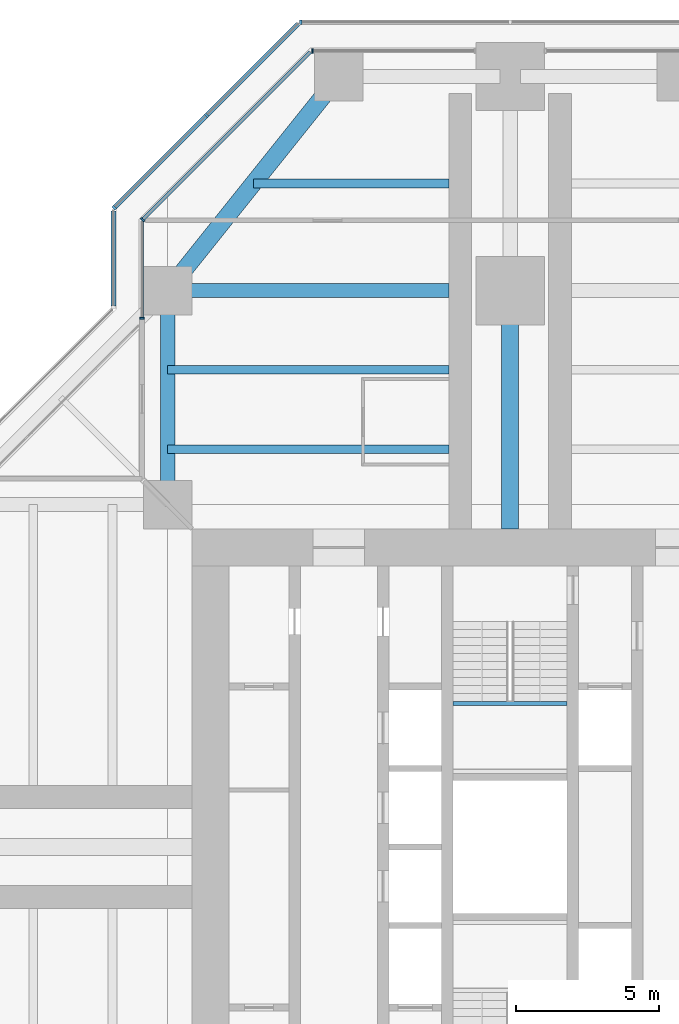
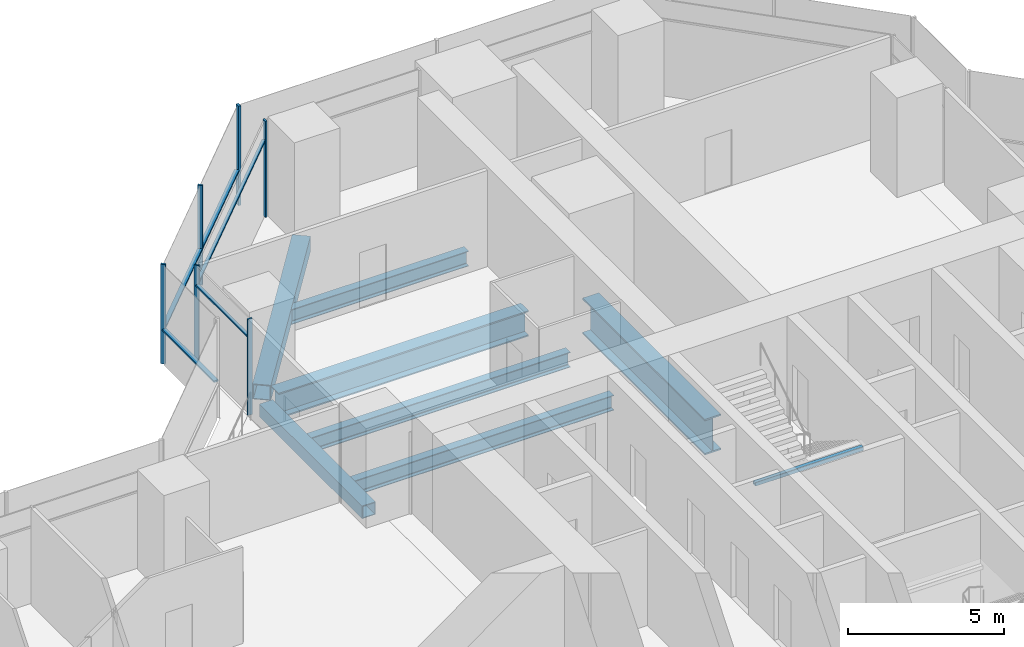
# One storey, part 8 of 19: 11 members, 8 beams, 6 elements without a shape of their own.
"""IFC4 building model written with IfcOpenShell, lengths in metres."""

from ifc_helpers import new_model, si_unit, direction, frame, origin, origin_2d, place, context, subcontext, project, spatial, rectangle, hollow_rectangle, i_section, extrude, material, material_profile, profile_set, type_object, element, aggregate, save


model = new_model("IFC4")

# Units and contexts
model_context = context("Model", 3, precision=1e-05, world=origin(), true_north=direction((0.0, 1.0)))
body_context = subcontext(model_context, "Body", "Model", "MODEL_VIEW")
ifc_project = project(units=[si_unit("LENGTHUNIT", "METRE"), si_unit("AREAUNIT", "SQUARE_METRE"), si_unit("VOLUMEUNIT", "CUBIC_METRE"), si_unit("PLANEANGLEUNIT", "RADIAN"), si_unit("MASSUNIT", "GRAM", prefix="KILO")], contexts=[model_context])

# Site, building, storey
site_placement = place(None, origin())
site = spatial("IfcSite", under=ifc_project, at=site_placement, CompositionType="ELEMENT")
building_placement = place(site_placement, origin())
building = spatial("IfcBuilding", under=site, at=building_placement, Name="Mizan Broadcast Tower", CompositionType="ELEMENT")
storey_placement = place(building_placement, frame((0.0, 0.0, 163.199951171875)))
storey = spatial("IfcBuildingStorey", under=building, at=storey_placement, Name="L37", CompositionType="ELEMENT", Elevation=163.199951171875)

# Beams
ifc_material_1 = material(Name="Steel S355", Category="steel")
ifc_material_profile_1 = material_profile(ifc_material_1, hollow_rectangle(XDim=0.5, YDim=0.5, WallThickness=0.030029296875, at=origin_2d()), Name="BOX 500x500x30")
ifc_profile_set_1 = profile_set([ifc_material_profile_1], Name="Steel S355")
beam_type_1 = type_object("IfcBeamType", Name="EDGE BEAM BOX 500x500x30", PredefinedType="SPANDREL", material=ifc_profile_set_1)
beam_1_placement = place(storey_placement, frame((-12.0, 12.449951171875, -0.3798828125), z_axis=(0.0, 1.0, 0.0), x_axis=(-1.0, 0.0, 0.0)))
element("IfcBeam", 1, at=beam_1_placement, inside=storey, type_object=beam_type_1, Name="Edge beam BOX 500x500x30 L37 north arm", PredefinedType="SPANDREL", context=body_context, shape_type="SweptSolid", body=[
    extrude(hollow_rectangle(XDim=0.5, YDim=0.5, WallThickness=0.030029296875, at=origin_2d()), origin(), (0.0, 0.0, 1.0), 6.60009765625),
])
ifc_material_2 = material(Name="Steel S355", Category="steel")
ifc_material_profile_2 = material_profile(ifc_material_2, hollow_rectangle(XDim=0.60009765625, YDim=0.60009765625, WallThickness=0.030029296875, at=origin_2d()), Name="BOX 600x600x30")
ifc_profile_set_2 = profile_set([ifc_material_profile_2], Name="Steel S355")
beam_type_2 = type_object("IfcBeamType", Name="EDGE BEAM BOX 600x600x30", PredefinedType="SPANDREL", material=ifc_profile_set_2)
beam_2_placement = place(storey_placement, frame((-11.639892578125, 19.949951171875, -0.429931640625), z_axis=(0.624673911726, 0.780885717636, 0.0), x_axis=(-0.780885717636, 0.624673911726, 0.0)))
element("IfcBeam", 2, at=beam_2_placement, inside=storey, type_object=beam_type_2, Name="Edge beam BOX 600x600x30 L37 north arm", PredefinedType="SPANDREL", context=body_context, shape_type="SweptSolid", body=[
    extrude(hollow_rectangle(XDim=0.60009765625, YDim=0.60009765625, WallThickness=0.030029296875, at=origin_2d()), origin(), (0.0, 0.0, 1.0), 8.4521484375),
])
ifc_material_3 = material(Name="Steel S460", Category="steel")
ifc_material_profile_3 = material_profile(ifc_material_3, i_section(OverallWidth=0.5, OverallDepth=1.0, WebThickness=0.02490234375, FlangeThickness=0.050048828125, at=origin_2d()), Name="WPG 1000x500")
ifc_profile_set_3 = profile_set([ifc_material_profile_3], Name="Steel S460")
beam_type_3 = type_object("IfcBeamType", Name="GIRDER WPG 1000x500", PredefinedType="BEAM", material=ifc_profile_set_3)
beam_3_placement = place(storey_placement, frame((-11.408935546875, 19.5, -0.6298828125), z_axis=(1.0, 0.0, 0.0), x_axis=(0.0, 1.0, 0.0)))
element("IfcBeam", 3, at=beam_3_placement, inside=storey, type_object=beam_type_3, Name="Girder WPG 1000x500 L37 north arm", PredefinedType="BEAM", context=body_context, shape_type="SweptSolid", body=[
    extrude(i_section(OverallWidth=0.5, OverallDepth=1.0, WebThickness=0.02490234375, FlangeThickness=0.050048828125, at=origin_2d()), origin(), (0.0, 0.0, 1.0), 9.259033203125),
])
ifc_material_4 = material(Name="Steel S460", Category="steel")
ifc_material_profile_4 = material_profile(ifc_material_4, i_section(OverallWidth=0.60009765625, OverallDepth=1.39990234375, WebThickness=0.02490234375, FlangeThickness=0.06005859375, at=origin_2d()), Name="WPG 1400x600")
ifc_profile_set_4 = profile_set([ifc_material_profile_4], Name="Steel S460")
beam_type_4 = type_object("IfcBeamType", Name="GIRDER WPG 1400x600", PredefinedType="BEAM", material=ifc_profile_set_4)
beam_4_placement = place(storey_placement, frame((0.0, 11.14990234375, -0.829833984375), z_axis=(0.0, 1.0, 0.0), x_axis=(-1.0, 0.0, 0.0)))
element("IfcBeam", 4, at=beam_4_placement, inside=storey, type_object=beam_type_4, Name="Girder WPG 1400x600 L37 north arm", PredefinedType="BEAM", context=body_context, shape_type="SweptSolid", body=[
    extrude(i_section(OverallWidth=0.60009765625, OverallDepth=1.39990234375, WebThickness=0.02490234375, FlangeThickness=0.06005859375, at=origin_2d()), origin(), (0.0, 0.0, 1.0), 7.84912109375),
])

# Curtain wall, member
ifc_material_5 = material(Name="Aluminium framed glazing", Category="aluminium")
curtain_wall_type_1 = type_object("IfcCurtainWallType", Name="INNER SKIN MID ZONE", PredefinedType="USERDEFINED", material=ifc_material_5)
curtain_wall_1_placement = place(storey_placement, origin())
curtain_wall_1 = element("IfcCurtainWall", 5, at=curtain_wall_1_placement, inside=storey, type_object=curtain_wall_type_1, Name="Inner skin mid zone L37 N end", ObjectType="INNER SKIN MID ZONE", PredefinedType="USERDEFINED")
ifc_material_6 = material(Name="Aluminium, pale anodised", Category="aluminium")
ifc_material_profile_5 = material_profile(ifc_material_6, rectangle(XDim=0.159912109375, YDim=0.06005859375, at=origin_2d()), Name="MULLION 160x60")
ifc_profile_set_5 = profile_set([ifc_material_profile_5], Name="Aluminium, pale anodised")
member_type_1 = type_object("IfcMemberType", Name="INNER SKIN MULLION 60x160", PredefinedType="MULLION", material=ifc_profile_set_5)
member_1_placement = place(storey_placement, frame((-6.928466796875, 27.89990234375, 0.0), z_axis=(0.0, 0.0, 1.0), x_axis=(0.0, -1.0, 0.0)))
member_1 = element("IfcMember", 6, at=member_1_placement, type_object=member_type_1, Name="Inner skin mid zone L37 N end mullion 2", PredefinedType="MULLION", context=body_context, shape_type="SweptSolid", body=[
    extrude(rectangle(XDim=0.159912109375, YDim=0.06005859375, at=origin_2d()), origin(), (0.0, 0.0, 1.0), 3.77001953125),
])
aggregate(curtain_wall_1, [member_1])

curtain_wall_2_placement = place(storey_placement, origin())
curtain_wall_2 = element("IfcCurtainWall", 7, at=curtain_wall_2_placement, inside=storey, type_object=curtain_wall_type_1, Name="Inner skin mid zone L37 N chamfer", ObjectType="INNER SKIN MID ZONE", PredefinedType="USERDEFINED")
member_2_placement = place(storey_placement, frame((-12.87890625, 21.979736328125, 0.0), z_axis=(0.0, 0.0, 1.0), x_axis=(0.707106781187, -0.707106781187, 0.0)))
member_2 = element("IfcMember", 8, at=member_2_placement, type_object=member_type_1, Name="Inner skin mid zone L37 N chamfer mullion 2", PredefinedType="MULLION", context=body_context, shape_type="SweptSolid", body=[
    extrude(rectangle(XDim=0.159912109375, YDim=0.06005859375, at=origin_2d()), origin(), (0.0, 0.0, 1.0), 3.77001953125),
])

curtain_wall_3_placement = place(storey_placement, origin())
curtain_wall_3 = element("IfcCurtainWall", 9, at=curtain_wall_3_placement, inside=storey, type_object=curtain_wall_type_1, Name="Inner skin mid zone L37 N side", ObjectType="INNER SKIN MID ZONE", PredefinedType="USERDEFINED")
member_3_placement = place(storey_placement, frame((-12.89990234375, 18.530029296875, 0.0), z_axis=(0.0, 0.0, 1.0), x_axis=(1.0, 0.0, 0.0)))
member_3 = element("IfcMember", 10, at=member_3_placement, type_object=member_type_1, Name="Inner skin mid zone L37 N side mullion 2", PredefinedType="MULLION", context=body_context, shape_type="SweptSolid", body=[
    extrude(rectangle(XDim=0.159912109375, YDim=0.06005859375, at=origin_2d()), origin(), (0.0, 0.0, 1.0), 3.77001953125),
])

# Member
ifc_material_7 = material(Name="Aluminium, pale anodised", Category="aluminium")
ifc_material_profile_6 = material_profile(ifc_material_7, rectangle(XDim=0.1201171875, YDim=0.06005859375, at=origin_2d()), Name="TRANSOM 120x60")
ifc_profile_set_6 = profile_set([ifc_material_profile_6], Name="Aluminium, pale anodised")
member_type_2 = type_object("IfcMemberType", Name="INNER SKIN TRANSOM 60x120", PredefinedType="USERDEFINED", material=ifc_profile_set_6)
member_4_placement = place(storey_placement, frame((-7.0009765625, 27.857666015625, 3.030029296875), z_axis=(-0.707106781187, -0.707106781187, 0.0), x_axis=(0.707106781187, -0.707106781187, 0.0)))
member_4 = element("IfcMember", 11, at=member_4_placement, type_object=member_type_2, Name="Inner skin mid zone L37 N chamfer transom 1.1", ObjectType="TRANSOM", PredefinedType="USERDEFINED", context=body_context, shape_type="SweptSolid", body=[
    extrude(rectangle(XDim=0.1201171875, YDim=0.06005859375, at=origin_2d()), origin(), (0.0, 0.0, 1.0), 8.28271484375),
])

aggregate(curtain_wall_2, [member_2, member_4])

member_5_placement = place(storey_placement, frame((-12.89990234375, 21.898681640625, 3.030029296875), z_axis=(0.0, -1.0, 0.0), x_axis=(1.0, 0.0, 0.0)))
member_5 = element("IfcMember", 12, at=member_5_placement, type_object=member_type_2, Name="Inner skin mid zone L37 N side transom 1.1", ObjectType="TRANSOM", PredefinedType="USERDEFINED", context=body_context, shape_type="SweptSolid", body=[
    extrude(rectangle(XDim=0.1201171875, YDim=0.06005859375, at=origin_2d()), origin(), (0.0, 0.0, 1.0), 3.338623046875),
])

aggregate(curtain_wall_3, [member_3, member_5])

# Beam
ifc_material_8 = material(Name="Steel S355", Category="steel")
ifc_material_profile_7 = material_profile(ifc_material_8, hollow_rectangle(XDim=0.14990234375, YDim=0.14990234375, WallThickness=0.008056640625, InnerFilletRadius=0.008056640625, OuterFilletRadius=0.011962890625, at=origin_2d()), Name="SHS 150x150x8")
ifc_profile_set_7 = profile_set([ifc_material_profile_7], Name="Steel S355")
beam_type_5 = type_object("IfcBeamType", Name="LANDING TRIMMER SHS 150x150x8", PredefinedType="BEAM", material=ifc_profile_set_7)
beam_5_placement = place(storey_placement, frame((2.0, 5.02490234375, 1.675048828125), z_axis=(-1.0, 0.0, 0.0), x_axis=(0.0, -1.0, 0.0)))
element("IfcBeam", 13, at=beam_5_placement, inside=storey, type_object=beam_type_5, Name="Stair B landing trimmer L37", PredefinedType="BEAM", context=body_context, shape_type="SweptSolid", body=[
    extrude(hollow_rectangle(XDim=0.14990234375, YDim=0.14990234375, WallThickness=0.008056640625, InnerFilletRadius=0.008056640625, OuterFilletRadius=0.011962890625, at=origin_2d()), origin(), (0.0, 0.0, 1.0), 4.0),
])

# Curtain wall, member
ifc_material_9 = material(Name="Aluminium framed glazing", Category="aluminium")
curtain_wall_type_2 = type_object("IfcCurtainWallType", Name="OUTER SKIN", PredefinedType="USERDEFINED", material=ifc_material_9)
curtain_wall_4_placement = place(storey_placement, origin())
curtain_wall_4 = element("IfcCurtainWall", 14, at=curtain_wall_4_placement, inside=storey, type_object=curtain_wall_type_2, Name="Outer skin L37 N end", ObjectType="OUTER SKIN", PredefinedType="USERDEFINED")
ifc_material_10 = material(Name="Aluminium, pale anodised", Category="aluminium")
ifc_material_profile_8 = material_profile(ifc_material_10, rectangle(XDim=0.159912109375, YDim=0.080078125, at=origin_2d()), Name="MULLION 160x80")
ifc_profile_set_8 = profile_set([ifc_material_profile_8], Name="Aluminium, pale anodised")
member_type_3 = type_object("IfcMemberType", Name="OUTER SKIN MULLION 80x160", PredefinedType="MULLION", material=ifc_profile_set_8)
member_6_placement = place(storey_placement, frame((-7.332763671875, 28.89990234375, 0.0), z_axis=(0.0, 0.0, 1.0), x_axis=(0.0, -1.0, 0.0)))
member_6 = element("IfcMember", 15, at=member_6_placement, type_object=member_type_3, Name="Outer skin L37 N end mullion 3", PredefinedType="MULLION", context=body_context, shape_type="SweptSolid", body=[
    extrude(rectangle(XDim=0.159912109375, YDim=0.080078125, at=origin_2d()), origin(), (0.0, 0.0, 1.0), 3.900146484375),
])
aggregate(curtain_wall_4, [member_6])

# Curtain wall, members
curtain_wall_5_placement = place(storey_placement, origin())
curtain_wall_5 = element("IfcCurtainWall", 16, at=curtain_wall_5_placement, inside=storey, type_object=curtain_wall_type_2, Name="Outer skin L37 N chamfer", ObjectType="OUTER SKIN", PredefinedType="USERDEFINED")
member_7_placement = place(storey_placement, frame((-10.636474609375, 25.636474609375, 0.0), z_axis=(0.0, 0.0, 1.0), x_axis=(0.707106781187, -0.707106781187, 0.0)))
member_7 = element("IfcMember", 17, at=member_7_placement, type_object=member_type_3, Name="Outer skin L37 N chamfer mullion 2", PredefinedType="MULLION", context=body_context, shape_type="SweptSolid", body=[
    extrude(rectangle(XDim=0.159912109375, YDim=0.080078125, at=origin_2d()), origin(), (0.0, 0.0, 1.0), 3.900146484375),
])
member_8_placement = place(storey_placement, frame((-13.871826171875, 22.401123046875, 0.0), z_axis=(0.0, 0.0, 1.0), x_axis=(0.707106781187, -0.707106781187, 0.0)))
member_8 = element("IfcMember", 18, at=member_8_placement, type_object=member_type_3, Name="Outer skin L37 N chamfer mullion 3", PredefinedType="MULLION", context=body_context, shape_type="SweptSolid", body=[
    extrude(rectangle(XDim=0.159912109375, YDim=0.080078125, at=origin_2d()), origin(), (0.0, 0.0, 1.0), 3.900146484375),
])
ifc_material_11 = material(Name="Aluminium, pale anodised", Category="aluminium")
ifc_material_profile_9 = material_profile(ifc_material_11, rectangle(XDim=0.159912109375, YDim=0.06005859375, at=origin_2d()), Name="TRANSOM 160x60")
ifc_profile_set_9 = profile_set([ifc_material_profile_9], Name="Aluminium, pale anodised")
member_type_4 = type_object("IfcMemberType", Name="OUTER SKIN TRANSOM 60x160", PredefinedType="USERDEFINED", material=ifc_profile_set_9)
member_9_placement = place(storey_placement, frame((-7.429443359375, 28.843505859375, 1.400146484375), z_axis=(-0.707106781187, -0.707106781187, 0.0), x_axis=(0.707106781187, -0.707106781187, 0.0)))
member_9 = element("IfcMember", 19, at=member_9_placement, type_object=member_type_4, Name="Outer skin L37 N chamfer transom 1.1", ObjectType="TRANSOM", PredefinedType="USERDEFINED", context=body_context, shape_type="SweptSolid", body=[
    extrude(rectangle(XDim=0.159912109375, YDim=0.06005859375, at=origin_2d()), origin(), (0.0, 0.0, 1.0), 4.495361328125),
])
member_10_placement = place(storey_placement, frame((-10.664794921875, 25.608154296875, 1.400146484375), z_axis=(-0.707106781187, -0.707106781187, 0.0), x_axis=(0.707106781187, -0.707106781187, 0.0)))
member_10 = element("IfcMember", 20, at=member_10_placement, type_object=member_type_4, Name="Outer skin L37 N chamfer transom 2.1", ObjectType="TRANSOM", PredefinedType="USERDEFINED", context=body_context, shape_type="SweptSolid", body=[
    extrude(rectangle(XDim=0.159912109375, YDim=0.06005859375, at=origin_2d()), origin(), (0.0, 0.0, 1.0), 4.495361328125),
])
aggregate(curtain_wall_5, [member_7, member_8, member_9, member_10])

# Curtain wall, member
curtain_wall_6_placement = place(storey_placement, origin())
curtain_wall_6 = element("IfcCurtainWall", 21, at=curtain_wall_6_placement, inside=storey, type_object=curtain_wall_type_2, Name="Outer skin L37 N side", ObjectType="OUTER SKIN", PredefinedType="USERDEFINED")
member_11_placement = place(storey_placement, frame((-13.89990234375, 22.292724609375, 1.400146484375), z_axis=(0.0, -1.0, 0.0), x_axis=(1.0, 0.0, 0.0)))
member_11 = element("IfcMember", 22, at=member_11_placement, type_object=member_type_4, Name="Outer skin L37 N side transom 1.1", ObjectType="TRANSOM", PredefinedType="USERDEFINED", context=body_context, shape_type="SweptSolid", body=[
    extrude(rectangle(XDim=0.159912109375, YDim=0.06005859375, at=origin_2d()), origin(), (0.0, 0.0, 1.0), 3.33984375),
])
aggregate(curtain_wall_6, [member_11])

# Beams
ifc_material_12 = material(Name="Steel S355", Category="steel")
ifc_material_profile_10 = material_profile(ifc_material_12, i_section(OverallWidth=0.300048828125, OverallDepth=0.590087890625, WebThickness=0.012939453125, FlangeThickness=0.02490234375, FilletRadius=0.027099609375, at=origin_2d()), Name="HEA 600")
ifc_profile_set_10 = profile_set([ifc_material_profile_10], Name="Steel S355")
beam_type_6 = type_object("IfcBeamType", Name="SECONDARY BEAM HEA 600", PredefinedType="JOIST", material=ifc_profile_set_10)
for number, where, z_axis, x_axis, name in (
    (23, (-12.0, 13.933349609375, -0.425048828125), (1.0, 0.0, 0.0), (0.0, 1.0, 0.0), "Secondary beam HEA 600 L37 north arm"),
    (24, (-12.0, 16.716552734375, -0.425048828125), (1.0, 0.0, 0.0), (0.0, 1.0, 0.0), "Secondary beam HEA 600 L37 north arm"),
):
    element("IfcBeam", number, at=place(storey_placement, frame(where, z_axis=z_axis, x_axis=x_axis)), inside=storey, type_object=beam_type_6, Name=name, PredefinedType="JOIST", context=body_context, shape_type="SweptSolid", body=[
        extrude(i_section(OverallWidth=0.300048828125, OverallDepth=0.590087890625, WebThickness=0.012939453125, FlangeThickness=0.02490234375, FilletRadius=0.027099609375, at=origin_2d()), origin(), (0.0, 0.0, 1.0), 9.85009765625),
    ])
beam_6_placement = place(storey_placement, frame((-9.0, 23.25, -0.425048828125), z_axis=(1.0, 0.0, 0.0), x_axis=(0.0, 1.0, 0.0)))
element("IfcBeam", 25, at=beam_6_placement, inside=storey, type_object=beam_type_6, Name="Secondary beam HEA 600 L37 north arm", PredefinedType="JOIST", context=body_context, shape_type="SweptSolid", body=[
    extrude(i_section(OverallWidth=0.300048828125, OverallDepth=0.590087890625, WebThickness=0.012939453125, FlangeThickness=0.02490234375, FilletRadius=0.027099609375, at=origin_2d()), origin(), (0.0, 0.0, 1.0), 6.85009765625),
])

save(model, "model.ifc")
